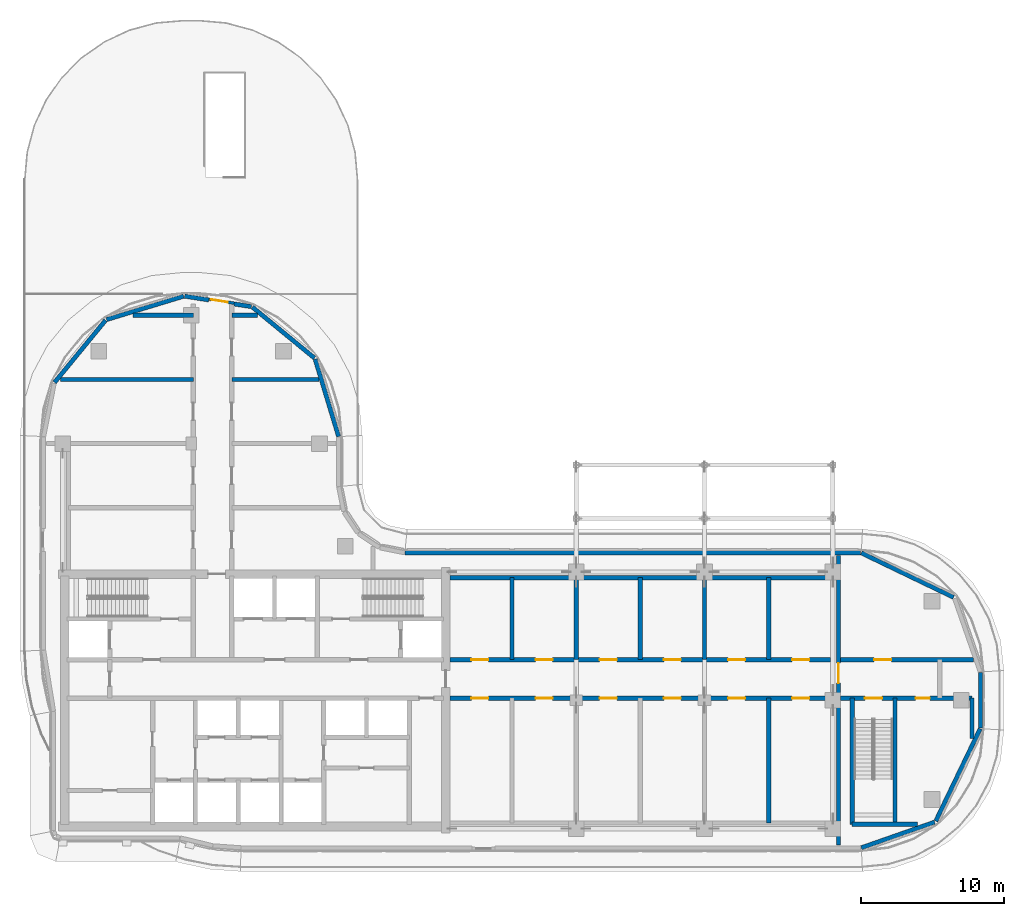
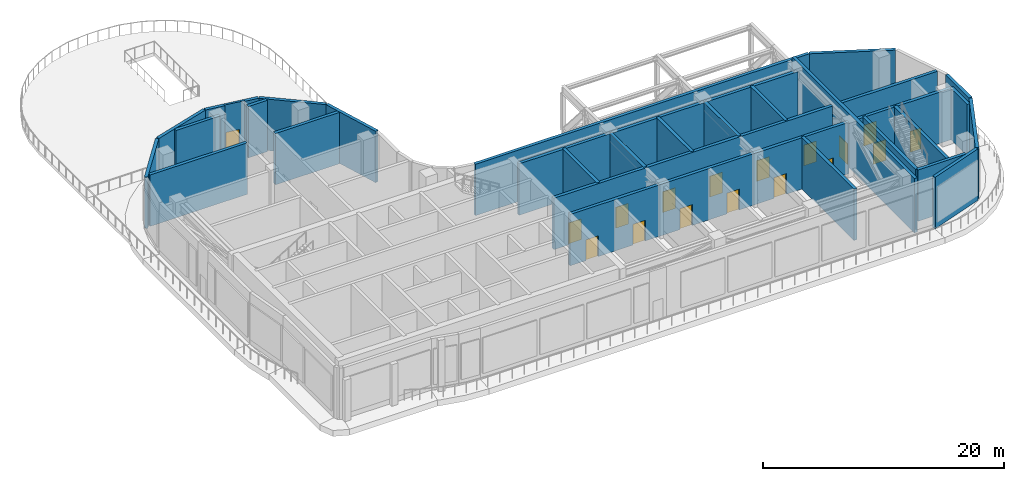
# One storey, part 6 of 18: 32 walls, 17 doors, 17 openings.
"""IFC4 building model written with IfcOpenShell, lengths in metres."""

import ifcopenshell
import ifcopenshell.guid

model = None  # the IFC model being written
_history = None  # IfcOwnerHistory: only IFC2X3 demands one
_inside = {}  # id of a spatial element -> (the spatial element, [elements in it])
_under = {}  # id of a project, library or spatial element -> (it, [spatial elements below it])
_declared = {}  # id of a project -> (the project, [libraries it declares])
_typed = {}  # id of a type object -> (the type object, [elements of that type])
_made_of = {}  # id of a material, layer set ... -> (it, [elements and type objects made of it])


def new_model(schema):
    """Start an empty IFC model of exactly this schema.

    Asked for "IFC4X3", IfcOpenShell would pick the latest addendum, in which some entities
    have other attributes; the version numbers below select the first issue.
    IFC2X3 requires an IfcOwnerHistory on every rooted entity: one is made here for all.
    """
    global model, _history
    if schema == "IFC4X3":
        model = ifcopenshell.file(schema_version=(4, 3, 0, 0))
    else:
        model = ifcopenshell.file(schema=schema)
    _inside.clear()
    _under.clear()
    _declared.clear()
    _typed.clear()
    _made_of.clear()
    _history = None
    if model.schema == "IFC2X3":
        org = make("IfcOrganization", Name="unknown")
        user = make(
            "IfcPersonAndOrganization",
            ThePerson=make("IfcPerson", FamilyName="unknown"),
            TheOrganization=org,
        )
        app = make(
            "IfcApplication",
            ApplicationDeveloper=org,
            Version="unknown",
            ApplicationFullName="unknown",
            ApplicationIdentifier="unknown",
        )
        _history = make(
            "IfcOwnerHistory",
            OwningUser=user,
            OwningApplication=app,
            ChangeAction="ADDED",
            CreationDate=0,
        )
    return model


def make(cls, **values):
    """One entity of the class cls with the attributes given. An attribute that is None is left unset."""
    return model.create_entity(
        cls, **{name: value for name, value in values.items() if value is not None}
    )


def rooted(cls, **values):
    """An entity with a GlobalId (a new one), such as an element, a storey or a relation."""
    return make(cls, GlobalId=ifcopenshell.guid.new(), OwnerHistory=_history, **values)


def si_unit(unit_type, name, prefix=None):
    """IfcSIUnit, for example si_unit("LENGTHUNIT", "METRE", prefix="MILLI")."""
    return make("IfcSIUnit", UnitType=unit_type, Prefix=prefix, Name=name)


def assignment(units):
    """IfcUnitAssignment: the units of a project."""
    return None if units is None else make("IfcUnitAssignment", Units=units)


def point(xyz):
    """IfcCartesianPoint."""
    return None if xyz is None else make("IfcCartesianPoint", Coordinates=xyz)


def direction(xyz):
    """IfcDirection."""
    return None if xyz is None else make("IfcDirection", DirectionRatios=xyz)


def frame(location, z_axis=None, x_axis=None):
    """IfcAxis2Placement3D, a coordinate frame: its origin and axes. An axis left out is left unset."""
    return make(
        "IfcAxis2Placement3D",
        Location=point(location),
        Axis=direction(z_axis),
        RefDirection=direction(x_axis),
    )


def frame_2d(location, x_axis=None):
    """IfcAxis2Placement2D, a coordinate frame in the plane: its origin and x axis."""
    return make(
        "IfcAxis2Placement2D", Location=point(location), RefDirection=direction(x_axis)
    )


def origin():
    """The frame at (0, 0, 0) with its axes left unset."""
    return frame((0.0, 0.0, 0.0))


def place(relative_to, where):
    """IfcLocalPlacement: puts the frame where relative to a parent placement (None: the world)."""
    return make(
        "IfcLocalPlacement", PlacementRelTo=relative_to, RelativePlacement=where
    )


def context(
    kind, dimensions, precision=None, world=None, true_north=None, identifier=None
):
    """IfcGeometricRepresentationContext, for example the 3D "Model" context."""
    return make(
        "IfcGeometricRepresentationContext",
        ContextIdentifier=identifier,
        ContextType=kind,
        CoordinateSpaceDimension=dimensions,
        Precision=precision,
        WorldCoordinateSystem=world,
        TrueNorth=true_north,
    )


def subcontext(parent, identifier, kind, view, scale=None):
    """IfcGeometricRepresentationSubContext, for example "Body" below "Model"."""
    return make(
        "IfcGeometricRepresentationSubContext",
        ContextIdentifier=identifier,
        ContextType=kind,
        ParentContext=parent,
        TargetScale=scale,
        TargetView=view,
    )


def project(units=None, contexts=None):
    """IfcProject with its units and contexts."""
    return rooted(
        "IfcProject",
        Name="project",
        RepresentationContexts=contexts,
        UnitsInContext=assignment(units),
    )


def spatial(cls, under=None, at=None, **own):
    """A site, building, storey or space (cls), placed at a placement, below another one or the project."""
    s = rooted(cls, ObjectPlacement=at, **own)
    if under is not None:
        _under.setdefault(under.id(), (under, []))[1].append(s)
    return s


def profile(cls, at=None, kind="AREA", **sizes):
    """A parametric profile (cls). Its sizes go by their IFC names, for example OverallWidth=200.0."""
    return make(cls, ProfileType=kind, Position=at, **sizes)


def rectangle(**sizes):
    """IfcRectangleProfileDef."""
    return profile("IfcRectangleProfileDef", **sizes)


def extrude(swept, where, along, depth):
    """IfcExtrudedAreaSolid: the profile swept, set in the frame where, extruded along a direction by depth."""
    return make(
        "IfcExtrudedAreaSolid",
        SweptArea=swept,
        Position=where,
        ExtrudedDirection=direction(along),
        Depth=depth,
    )


def shape(context_of_items, identifier, shape_type, items):
    """IfcShapeRepresentation: the items that make up one representation, for example the "Body"."""
    return make(
        "IfcShapeRepresentation",
        ContextOfItems=context_of_items,
        RepresentationIdentifier=identifier,
        RepresentationType=shape_type,
        Items=items,
    )


def material(Name=None, Category=None):
    """IfcMaterial."""
    return make("IfcMaterial", Name=Name, Category=Category)


def layer(
    of_material, thickness, ventilated=None, Name=None, Category=None, Priority=None
):
    """IfcMaterialLayer: one layer of a wall or slab, of a material (None: an air gap)."""
    return make(
        "IfcMaterialLayer",
        Material=of_material,
        LayerThickness=thickness,
        IsVentilated=ventilated,
        Name=Name,
        Category=Category,
        Priority=Priority,
    )


def layer_set(layers, Name=None):
    """IfcMaterialLayerSet."""
    return make("IfcMaterialLayerSet", MaterialLayers=layers, LayerSetName=Name)


def made_of(thing, what):
    """Note that an element or type object is made of a material, layer set ...; save() writes the relation."""
    if what is not None:
        _made_of.setdefault(what.id(), (what, []))[1].append(thing)
    return thing


def type_object(cls, material=None, **own):
    """A type object (cls), such as IfcWallType, which elements share."""
    return made_of(rooted(cls, **own), material)


def element(
    cls,
    number,
    at=None,
    inside=None,
    cuts=None,
    type_object=None,
    material=None,
    context=None,
    identifier="Body",
    shape_type=None,
    held_by="IfcProductDefinitionShape",
    body=None,
    shapes=None,
    **own,
):
    """One element of the class cls, such as IfcWall. Its Tag is "e" and its number.

    at: its placement. inside: the storey or other place that contains it. cuts: it is an
    opening in that element (IfcRelVoidsElement). A single representation is given by context,
    identifier, shape_type and body (its items); several are given by shapes. held_by: the class
    of the entity that holds the representations. save() writes the other relations.
    """
    e = rooted(cls, Tag="e%d" % number, ObjectPlacement=at, **own)
    if body is not None:
        shapes = [shape(context, identifier, shape_type, body)]
    if shapes is not None:
        e.Representation = make(held_by, Representations=shapes)
    if inside is not None:
        _inside.setdefault(inside.id(), (inside, []))[1].append(e)
    if cuts is not None:
        rooted(
            "IfcRelVoidsElement", RelatingBuildingElement=cuts, RelatedOpeningElement=e
        )
    if type_object is not None:
        _typed.setdefault(type_object.id(), (type_object, []))[1].append(e)
    return made_of(e, material)


def fill(opening, filler):
    """IfcRelFillsElement: the door or window that sits in an opening."""
    return rooted(
        "IfcRelFillsElement",
        RelatingOpeningElement=opening,
        RelatedBuildingElement=filler,
    )


def aggregate(whole, parts):
    """IfcRelAggregates: a whole, such as a stair, and the parts it consists of."""
    return rooted("IfcRelAggregates", RelatingObject=whole, RelatedObjects=parts)


def save(model, path):
    """Write the relations noted so far, then the file.

    IfcRelAggregates (storeys below a building ...), IfcRelContainedInSpatialStructure (elements
    in a storey), IfcRelDefinesByType, IfcRelAssociatesMaterial and IfcRelDeclares: one each for
    every whole, place, type object, material and project.
    """
    for whole, parts in _under.values():
        aggregate(whole, parts)
    for where, things in _inside.values():
        rooted(
            "IfcRelContainedInSpatialStructure",
            RelatedElements=things,
            RelatingStructure=where,
        )
    for kind, things in _typed.values():
        rooted("IfcRelDefinesByType", RelatedObjects=things, RelatingType=kind)
    for what, things in _made_of.values():
        rooted("IfcRelAssociatesMaterial", RelatedObjects=things, RelatingMaterial=what)
    for by, libraries in _declared.values():
        rooted("IfcRelDeclares", RelatingContext=by, RelatedDefinitions=libraries)
    model.write(path)


model = new_model("IFC4")

# Units and contexts
model_context = context("Model", 3, precision=1e-05, world=origin(), true_north=direction((0.0, 1.0)))
body_context = subcontext(model_context, "Body", "Model", "MODEL_VIEW")
ifc_project = project(units=[si_unit("LENGTHUNIT", "METRE"), si_unit("AREAUNIT", "SQUARE_METRE"), si_unit("VOLUMEUNIT", "CUBIC_METRE"), si_unit("PLANEANGLEUNIT", "RADIAN"), si_unit("MASSUNIT", "GRAM", prefix="KILO")], contexts=[model_context])

# Site, building, storey
site_placement = place(None, origin())
site = spatial("IfcSite", under=ifc_project, at=site_placement, CompositionType="ELEMENT")
building_placement = place(site_placement, origin())
building = spatial("IfcBuilding", under=site, at=building_placement, Name="Ogive Portal Towers", CompositionType="ELEMENT")
storey_placement = place(building_placement, frame((0.0, 0.0, 190.300048828125)))
storey = spatial("IfcBuildingStorey", under=building, at=storey_placement, Name="L47", CompositionType="ELEMENT", Elevation=190.300048828125)

# Wall, opening, door
ifc_material_1 = material(Name="Limestone cladding on lightweight block wall", Category="masonry")
ifc_layer_1 = layer(ifc_material_1, 0.199951171875)
ifc_layer_set_1 = layer_set([ifc_layer_1], Name="BALCONY BAY WALL 200")
wall_type_1 = type_object("IfcWallType", Name="BALCONY BAY WALL 200", PredefinedType="SOLIDWALL", material=ifc_layer_set_1)
wall_1_placement = place(storey_placement, frame((41.745361328125, 58.62353515625, 0.0), z_axis=(0.0, 0.0, 1.0), x_axis=(0.987782751811, -0.155837207446, 0.0)))
wall_1 = element("IfcWall", 1, at=wall_1_placement, inside=storey, type_object=wall_type_1, Name="A:L47:f20:bay0", PredefinedType="SOLIDWALL", context=body_context, shape_type="SweptSolid", body=[
    extrude(rectangle(XDim=1.800048828125, YDim=0.199951171875, at=frame_2d((0.89990234375, 0.0))), origin(), (0.0, 0.0, 1.0), 5.199951171875),
])
opening_1_placement = place(wall_1_placement, frame((0.14990234375, 0.0, 0.0)))
opening_1 = element("IfcOpeningElement", 2, at=opening_1_placement, cuts=wall_1, Name="Opening DX047", PredefinedType="OPENING", context=body_context, shape_type="SweptSolid", body=[
    extrude(rectangle(XDim=1.199951171875, YDim=2.39990234375, at=frame_2d((0.60009765625, 1.199951171875))), frame((0.0, 0.10986328125, 0.0), z_axis=(0.0, -1.0, 0.0), x_axis=(1.0, 0.0, 0.0)), (0.0, 0.0, 1.0), 0.219970703125),
])
ifc_material_2 = material(Name="Steel S355", Category="steel")
door_type_1 = type_object("IfcDoorType", Name="EXIT DOOR 1200x2400", OperationType="SINGLE_SWING_LEFT", PredefinedType="DOOR", material=ifc_material_2)
door_1_placement = place(opening_1_placement, origin())
door_1 = element("IfcDoor", 3, at=door_1_placement, inside=storey, type_object=door_type_1, Name="A:L47:f20:bay0/o0", OperationType="SINGLE_SWING_LEFT", OverallHeight=2.39990234375, OverallWidth=1.199951171875, PredefinedType="DOOR", context=body_context, shape_type="SweptSolid", body=[
    extrude(rectangle(XDim=1.199951171875, YDim=2.39990234375, at=frame_2d((0.60009765625, 1.199951171875))), frame((0.0, 0.02490234375, 0.0), z_axis=(0.0, -1.0, 0.0), x_axis=(1.0, 0.0, 0.0)), (0.0, 0.0, 1.0), 0.050048828125),
])
fill(opening_1, door_1)

# Walls
ifc_layer_2 = layer(ifc_material_1, 0.300048828125)
ifc_layer_set_2 = layer_set([ifc_layer_2], Name="EXTERNAL WALL 300 STONE")
wall_type_2 = type_object("IfcWallType", Name="EXTERNAL WALL 300 STONE", PredefinedType="SOLIDWALL", material=ifc_layer_set_2)
wall_2_placement = place(storey_placement, frame((87.49853515625, 20.158447265625, 0.0), z_axis=(0.0, 0.0, 1.0), x_axis=(0.943879346284, 0.330290447423, 0.0)))
element("IfcWall", 4, at=wall_2_placement, inside=storey, type_object=wall_type_2, Name="A:L47:f07:r0:wall", PredefinedType="SOLIDWALL", context=body_context, shape_type="SweptSolid", body=[
    extrude(rectangle(XDim=5.439453125, YDim=0.300048828125, at=frame_2d((2.7197265625, 0.0))), origin(), (0.0, 0.0, 1.0), 5.199951171875),
])
wall_3_placement = place(storey_placement, frame((92.718505859375, 22.031494140625, 0.0), z_axis=(0.0, 0.0, 1.0), x_axis=(0.433882040461, 0.90096968593, 0.0)))
element("IfcWall", 5, at=wall_3_placement, inside=storey, type_object=wall_type_2, Name="A:L47:f08:r0:wall", PredefinedType="SOLIDWALL", context=body_context, shape_type="SweptSolid", body=[
    extrude(rectangle(XDim=7.183349609375, YDim=0.300048828125, at=frame_2d((3.591796875, 0.0))), origin(), (0.0, 0.0, 1.0), 5.199951171875),
])
wall_4_placement = place(storey_placement, frame((95.85009765625, 28.568359375, 0.0), z_axis=(0.0, 0.0, 1.0), x_axis=(0.0, 1.0, 0.0)))
element("IfcWall", 6, at=wall_4_placement, inside=storey, type_object=wall_type_2, Name="A:L47:f09:r0:wall", PredefinedType="SOLIDWALL", context=body_context, shape_type="SweptSolid", body=[
    extrude(rectangle(XDim=3.880615234375, YDim=0.300048828125, at=frame_2d((1.9404296875, 0.0))), origin(), (0.0, 0.0, 1.0), 5.199951171875),
])
wall_5_placement = place(storey_placement, frame((93.968505859375, 37.718505859375, 0.0), z_axis=(0.0, 0.0, 1.0), x_axis=(-0.90096968593, 0.433882040461, 0.0)))
element("IfcWall", 7, at=wall_5_placement, inside=storey, type_object=wall_type_2, Name="A:L47:f11:r0:wall", PredefinedType="SOLIDWALL", context=body_context, shape_type="SweptSolid", body=[
    extrude(rectangle(XDim=7.183349609375, YDim=0.300048828125, at=frame_2d((3.591796875, 0.0))), origin(), (0.0, 0.0, 1.0), 5.199951171875),
])
wall_6_placement = place(storey_placement, frame((87.431640625, 40.85009765625, 0.0), z_axis=(0.0, 0.0, 1.0), x_axis=(-1.0, 0.0, 0.0)))
element("IfcWall", 8, at=wall_6_placement, inside=storey, type_object=wall_type_2, Name="A:L47:f12:r0:wall", PredefinedType="SOLIDWALL", context=body_context, shape_type="SweptSolid", body=[
    extrude(rectangle(XDim=31.931640625, YDim=0.300048828125, at=frame_2d((15.9658203125, 0.0))), origin(), (0.0, 0.0, 1.0), 5.199951171875),
])
wall_7_placement = place(storey_placement, frame((50.843505859375, 48.9990234375, 0.0), z_axis=(0.0, 0.0, 1.0), x_axis=(-0.290289406989, 0.95693890097, 0.0)))
element("IfcWall", 9, at=wall_7_placement, inside=storey, type_object=wall_type_2, Name="A:L47:f18:r0:wall", PredefinedType="SOLIDWALL", context=body_context, shape_type="SweptSolid", body=[
    extrude(rectangle(XDim=5.670166015625, YDim=0.300048828125, at=frame_2d((2.8349609375, 0.0))), origin(), (0.0, 0.0, 1.0), 5.199951171875),
])
wall_8_placement = place(storey_placement, frame((49.149169921875, 54.49755859375, 0.0), z_axis=(0.0, 0.0, 1.0), x_axis=(-0.773023777565, 0.634377048229, 0.0)))
element("IfcWall", 10, at=wall_8_placement, inside=storey, type_object=wall_type_2, Name="A:L47:f19:r0:wall", PredefinedType="SOLIDWALL", context=body_context, shape_type="SweptSolid", body=[
    extrude(rectangle(XDim=5.633056640625, YDim=0.300048828125, at=frame_2d((2.81640625, 0.0))), origin(), (0.0, 0.0, 1.0), 5.199951171875),
])
wall_9_placement = place(storey_placement, frame((44.722900390625, 58.103271484375, 0.0), z_axis=(0.0, 0.0, 1.0), x_axis=(-0.987787247842, 0.155808706434, 0.0)))
element("IfcWall", 11, at=wall_9_placement, inside=storey, type_object=wall_type_2, Name="A:L47:f20:r0:wall", PredefinedType="SOLIDWALL", context=body_context, shape_type="SweptSolid", body=[
    extrude(rectangle(XDim=1.22216796875, YDim=0.300048828125, at=frame_2d((0.611083984375, 0.0))), origin(), (0.0, 0.0, 1.0), 5.199951171875),
])
wall_10_placement = place(storey_placement, frame((41.737548828125, 58.57421875, 0.0), z_axis=(0.0, 0.0, 1.0), x_axis=(-0.987803359398, 0.155706528962, 0.0)))
element("IfcWall", 12, at=wall_10_placement, inside=storey, type_object=wall_type_2, Name="A:L47:f20:r1:wall", PredefinedType="SOLIDWALL", context=body_context, shape_type="SweptSolid", body=[
    extrude(rectangle(XDim=1.7138671875, YDim=0.300048828125, at=frame_2d((0.85693359375, 0.0))), origin(), (0.0, 0.0, 1.0), 5.199951171875),
])
wall_11_placement = place(storey_placement, frame((39.977783203125, 58.83642578125, 0.0), z_axis=(0.0, 0.0, 1.0), x_axis=(-0.956941081769, -0.29028221789, 0.0)))
element("IfcWall", 13, at=wall_11_placement, inside=storey, type_object=wall_type_2, Name="A:L47:f21:r0:wall", PredefinedType="SOLIDWALL", context=body_context, shape_type="SweptSolid", body=[
    extrude(rectangle(XDim=5.64599609375, YDim=0.300048828125, at=frame_2d((2.822998046875, 0.0))), origin(), (0.0, 0.0, 1.0), 5.199951171875),
])
wall_12_placement = place(storey_placement, frame((34.50244140625, 57.149169921875, 0.0), z_axis=(0.0, 0.0, 1.0), x_axis=(-0.63439223677, -0.773011312936, 0.0)))
element("IfcWall", 14, at=wall_12_placement, inside=storey, type_object=wall_type_2, Name="A:L47:f22:r0:wall", PredefinedType="SOLIDWALL", context=body_context, shape_type="SweptSolid", body=[
    extrude(rectangle(XDim=5.639404296875, YDim=0.300048828125, at=frame_2d((2.81982421875, 0.0))), origin(), (0.0, 0.0, 1.0), 5.199951171875),
])

# Wall, opening, door
ifc_material_3 = material(Name="Concrete C60/75", Category="concrete")
ifc_layer_3 = layer(ifc_material_3, 0.300048828125)
ifc_layer_set_3 = layer_set([ifc_layer_3], Name="REVEAL WALL 300 C60")
wall_type_3 = type_object("IfcWallType", Name="REVEAL WALL 300 C60", PredefinedType="SHEAR", material=ifc_layer_set_3)
wall_13_placement = place(storey_placement, frame((85.89990234375, 20.35009765625, 0.0), z_axis=(0.0, 0.0, 1.0), x_axis=(0.0, 1.0, 0.0)))
wall_13 = element("IfcWall", 15, at=wall_13_placement, inside=storey, type_object=wall_type_3, Name="Portal reveal wall L47", PredefinedType="SHEAR", context=body_context, shape_type="SweptSolid", body=[
    extrude(rectangle(XDim=20.2998046875, YDim=0.300048828125, at=frame_2d((10.14990234375, 0.0))), origin(), (0.0, 0.0, 1.0), 5.5),
])
opening_2_placement = place(wall_13_placement, frame((11.35009765625, 0.0, 0.0)))
opening_2 = element("IfcOpeningElement", 16, at=opening_2_placement, cuts=wall_13, Name="Opening D21-048", PredefinedType="OPENING", context=body_context, shape_type="SweptSolid", body=[
    extrude(rectangle(XDim=1.39990234375, YDim=2.10009765625, at=frame_2d((0.699951171875, 1.050048828125))), frame((0.0, 0.16015625, 0.0), z_axis=(0.0, -1.0, 0.0), x_axis=(1.0, 0.0, 0.0)), (0.0, 0.0, 1.0), 0.320068359375),
])
ifc_material_4 = material(Name="Steel fire door", Category="steel")
door_type_2 = type_object("IfcDoorType", Name="DT-STAIR-1400x2100-FD90S", OperationType="SINGLE_SWING_LEFT", PredefinedType="DOOR", material=ifc_material_4)
door_2_placement = place(opening_2_placement, origin())
door_2 = element("IfcDoor", 17, at=door_2_placement, inside=storey, type_object=door_type_2, Name="Door D21-048", OperationType="SINGLE_SWING_RIGHT", OverallHeight=2.10009765625, OverallWidth=1.39990234375, PredefinedType="DOOR", context=body_context, shape_type="SweptSolid", body=[
    extrude(rectangle(XDim=1.39990234375, YDim=2.10009765625, at=frame_2d((0.699951171875, 1.050048828125))), frame((0.0, 0.02490234375, 0.0), z_axis=(0.0, -1.0, 0.0), x_axis=(1.0, 0.0, 0.0)), (0.0, 0.0, 1.0), 0.050048828125),
])
fill(opening_2, door_2)

# Wall
ifc_material_5 = material(Name="Concrete C50/60", Category="concrete")
ifc_layer_4 = layer(ifc_material_5, 0.300048828125)
ifc_layer_set_4 = layer_set([ifc_layer_4], Name="STAIR WALL 300 C50")
wall_type_4 = type_object("IfcWallType", Name="STAIR WALL 300 C50", PredefinedType="SHEAR", material=ifc_layer_set_4)
wall_14_placement = place(storey_placement, frame((86.85009765625, 21.800048828125, 0.0), z_axis=(0.0, 0.0, 1.0), x_axis=(1.0, 0.0, 0.0)))
element("IfcWall", 18, at=wall_14_placement, inside=storey, type_object=wall_type_4, Name="Stair wall ST-A4 L47", PredefinedType="SHEAR", context=body_context, shape_type="SweptSolid", body=[
    extrude(rectangle(XDim=4.595947265625, YDim=0.300048828125, at=frame_2d((2.2978515625, 0.0))), origin(), (0.0, 0.0, 1.0), 5.199951171875),
])

# Wall, openings, doors
wall_15_placement = place(storey_placement, frame((86.050048828125, 30.64990234375, 0.0), z_axis=(0.0, 0.0, 1.0), x_axis=(1.0, 0.0, 0.0)))
wall_15 = element("IfcWall", 19, at=wall_15_placement, inside=storey, type_object=wall_type_4, Name="Stair wall ST-A4 L47", PredefinedType="SHEAR", context=body_context, shape_type="SweptSolid", body=[
    extrude(rectangle(XDim=9.199951171875, YDim=0.300048828125, at=frame_2d((4.60009765625, 0.0))), origin(), (0.0, 0.0, 1.0), 5.199951171875),
])
opening_3_placement = place(wall_15_placement, frame((1.699951171875, 0.0, 0.0)))
opening_3 = element("IfcOpeningElement", 20, at=opening_3_placement, cuts=wall_15, Name="Opening D21-045", PredefinedType="OPENING", context=body_context, shape_type="SweptSolid", body=[
    extrude(rectangle(XDim=1.199951171875, YDim=2.10009765625, at=frame_2d((0.60009765625, 1.050048828125))), frame((0.0, 0.16015625, 0.0), z_axis=(0.0, -1.0, 0.0), x_axis=(1.0, 0.0, 0.0)), (0.0, 0.0, 1.0), 0.320068359375),
])
opening_4_placement = place(wall_15_placement, frame((5.25, 0.0, 0.0)))
opening_4 = element("IfcOpeningElement", 21, at=opening_4_placement, cuts=wall_15, Name="Opening D21-047", PredefinedType="OPENING", context=body_context, shape_type="SweptSolid", body=[
    extrude(rectangle(XDim=1.0, YDim=2.10009765625, at=frame_2d((0.5, 1.050048828125))), frame((0.0, 0.16015625, 0.0), z_axis=(0.0, -1.0, 0.0), x_axis=(1.0, 0.0, 0.0)), (0.0, 0.0, 1.0), 0.320068359375),
])
door_type_3 = type_object("IfcDoorType", Name="DT-SERVICE-1000x2100-FD90S", OperationType="SINGLE_SWING_LEFT", PredefinedType="DOOR", material=ifc_material_4)
door_3_placement = place(opening_4_placement, origin())
door_3 = element("IfcDoor", 22, at=door_3_placement, inside=storey, type_object=door_type_3, Name="Riser access door D21-047", OperationType="SINGLE_SWING_LEFT", OverallHeight=2.10009765625, OverallWidth=1.0, PredefinedType="DOOR", context=body_context, shape_type="SweptSolid", body=[
    extrude(rectangle(XDim=1.0, YDim=2.10009765625, at=frame_2d((0.5, 1.050048828125))), frame((0.0, 0.02490234375, 0.0), z_axis=(0.0, -1.0, 0.0), x_axis=(1.0, 0.0, 0.0)), (0.0, 0.0, 1.0), 0.050048828125),
])
fill(opening_4, door_3)
door_type_4 = type_object("IfcDoorType", Name="DT-STAIR-1200x2100-FD90S", OperationType="SINGLE_SWING_LEFT", PredefinedType="DOOR", material=ifc_material_4)
door_4_placement = place(opening_3_placement, origin())
door_4 = element("IfcDoor", 23, at=door_4_placement, inside=storey, type_object=door_type_4, Name="Door D21-045", OperationType="SINGLE_SWING_LEFT", OverallHeight=2.10009765625, OverallWidth=1.199951171875, PredefinedType="DOOR", context=body_context, shape_type="SweptSolid", body=[
    extrude(rectangle(XDim=1.199951171875, YDim=2.10009765625, at=frame_2d((0.60009765625, 1.050048828125))), frame((0.0, 0.02490234375, 0.0), z_axis=(0.0, -1.0, 0.0), x_axis=(1.0, 0.0, 0.0)), (0.0, 0.0, 1.0), 0.050048828125),
])
fill(opening_3, door_4)

# Walls
for number, where, z_axis, x_axis, name in (
    (24, (86.85009765625, 21.800048828125, 0.0), (0.0, 0.0, 1.0), (0.0, 1.0, 0.0), "Stair wall ST-A4 L47"),
    (25, (89.85009765625, 21.800048828125, 0.0), (0.0, 0.0, 1.0), (0.0, 1.0, 0.0), "Stair wall ST-A4 L47"),
):
    element("IfcWall", number, at=place(storey_placement, frame(where, z_axis=z_axis, x_axis=x_axis)), inside=storey, type_object=wall_type_4, Name=name, PredefinedType="SHEAR", context=body_context, shape_type="SweptSolid", body=[
        extrude(rectangle(XDim=8.849853515625, YDim=0.300048828125, at=frame_2d((4.4248046875, 0.0))), origin(), (0.0, 0.0, 1.0), 5.199951171875),
    ])

# Wall, openings, doors
ifc_material_6 = material(Name="Gypsum board partition on steel studs", Category="steel")
ifc_layer_5 = layer(ifc_material_6, 0.300048828125)
ifc_layer_set_5 = layer_set([ifc_layer_5], Name="WT-PART-300-EI 120")
wall_type_5 = type_object("IfcWallType", Name="WT-PART-300-EI 120", PredefinedType="PARTITIONING", material=ifc_layer_set_5)
wall_16_placement = place(storey_placement, frame((58.64990234375, 30.64990234375, 0.0), z_axis=(0.0, 0.0, 1.0), x_axis=(1.0, 0.0, 0.0)))
wall_16 = element("IfcWall", 26, at=wall_16_placement, inside=storey, type_object=wall_type_5, Name="Wall L47:w003", PredefinedType="PARTITIONING", context=body_context, shape_type="SweptSolid", body=[
    extrude(rectangle(XDim=26.68017578125, YDim=0.300048828125, at=frame_2d((13.340087890625, 0.0))), origin(), (0.0, 0.0, 1.0), 5.199951171875),
])
opening_5_placement = place(wall_16_placement, frame((1.5, 0.0, 0.0)))
opening_5 = element("IfcOpeningElement", 27, at=opening_5_placement, cuts=wall_16, Name="Opening D21-027", PredefinedType="OPENING", context=body_context, shape_type="SweptSolid", body=[
    extrude(rectangle(XDim=1.199951171875, YDim=2.10009765625, at=frame_2d((0.60009765625, 1.050048828125))), frame((0.0, 0.16015625, 0.0), z_axis=(0.0, -1.0, 0.0), x_axis=(1.0, 0.0, 0.0)), (0.0, 0.0, 1.0), 0.320068359375),
])
opening_6_placement = place(wall_16_placement, frame((6.0, 0.0, 0.0)))
opening_6 = element("IfcOpeningElement", 28, at=opening_6_placement, cuts=wall_16, Name="Opening D21-028", PredefinedType="OPENING", context=body_context, shape_type="SweptSolid", body=[
    extrude(rectangle(XDim=1.199951171875, YDim=2.10009765625, at=frame_2d((0.60009765625, 1.050048828125))), frame((0.0, 0.16015625, 0.0), z_axis=(0.0, -1.0, 0.0), x_axis=(1.0, 0.0, 0.0)), (0.0, 0.0, 1.0), 0.320068359375),
])
opening_7_placement = place(wall_16_placement, frame((10.5, 0.0, 0.0)))
opening_7 = element("IfcOpeningElement", 29, at=opening_7_placement, cuts=wall_16, Name="Opening D21-031", PredefinedType="OPENING", context=body_context, shape_type="SweptSolid", body=[
    extrude(rectangle(XDim=1.199951171875, YDim=2.10009765625, at=frame_2d((0.60009765625, 1.050048828125))), frame((0.0, 0.16015625, 0.0), z_axis=(0.0, -1.0, 0.0), x_axis=(1.0, 0.0, 0.0)), (0.0, 0.0, 1.0), 0.320068359375),
])
opening_8_placement = place(wall_16_placement, frame((15.0, 0.0, 0.0)))
opening_8 = element("IfcOpeningElement", 30, at=opening_8_placement, cuts=wall_16, Name="Opening D21-032", PredefinedType="OPENING", context=body_context, shape_type="SweptSolid", body=[
    extrude(rectangle(XDim=1.199951171875, YDim=2.10009765625, at=frame_2d((0.60009765625, 1.050048828125))), frame((0.0, 0.16015625, 0.0), z_axis=(0.0, -1.0, 0.0), x_axis=(1.0, 0.0, 0.0)), (0.0, 0.0, 1.0), 0.320068359375),
])
opening_9_placement = place(wall_16_placement, frame((19.5, 0.0, 0.0)))
opening_9 = element("IfcOpeningElement", 31, at=opening_9_placement, cuts=wall_16, Name="Opening D21-035", PredefinedType="OPENING", context=body_context, shape_type="SweptSolid", body=[
    extrude(rectangle(XDim=1.199951171875, YDim=2.10009765625, at=frame_2d((0.60009765625, 1.050048828125))), frame((0.0, 0.16015625, 0.0), z_axis=(0.0, -1.0, 0.0), x_axis=(1.0, 0.0, 0.0)), (0.0, 0.0, 1.0), 0.320068359375),
])
opening_10_placement = place(wall_16_placement, frame((24.0, 0.0, 0.0)))
opening_10 = element("IfcOpeningElement", 32, at=opening_10_placement, cuts=wall_16, Name="Opening D21-036", PredefinedType="OPENING", context=body_context, shape_type="SweptSolid", body=[
    extrude(rectangle(XDim=1.199951171875, YDim=2.10009765625, at=frame_2d((0.60009765625, 1.050048828125))), frame((0.0, 0.16015625, 0.0), z_axis=(0.0, -1.0, 0.0), x_axis=(1.0, 0.0, 0.0)), (0.0, 0.0, 1.0), 0.320068359375),
])
door_type_5 = type_object("IfcDoorType", Name="DT-ENTRY-1200x2100-FD90S", OperationType="SINGLE_SWING_LEFT", PredefinedType="DOOR", material=ifc_material_4)
door_5_placement = place(opening_5_placement, origin())
door_5 = element("IfcDoor", 33, at=door_5_placement, inside=storey, type_object=door_type_5, Name="Door D21-027", OperationType="SINGLE_SWING_RIGHT", OverallHeight=2.10009765625, OverallWidth=1.199951171875, PredefinedType="DOOR", context=body_context, shape_type="SweptSolid", body=[
    extrude(rectangle(XDim=1.199951171875, YDim=2.10009765625, at=frame_2d((0.60009765625, 1.050048828125))), frame((0.0, 0.02490234375, 0.0), z_axis=(0.0, -1.0, 0.0), x_axis=(1.0, 0.0, 0.0)), (0.0, 0.0, 1.0), 0.050048828125),
])
fill(opening_5, door_5)
door_6_placement = place(opening_6_placement, origin())
door_6 = element("IfcDoor", 34, at=door_6_placement, inside=storey, type_object=door_type_5, Name="Door D21-028", OperationType="SINGLE_SWING_LEFT", OverallHeight=2.10009765625, OverallWidth=1.199951171875, PredefinedType="DOOR", context=body_context, shape_type="SweptSolid", body=[
    extrude(rectangle(XDim=1.199951171875, YDim=2.10009765625, at=frame_2d((0.60009765625, 1.050048828125))), frame((0.0, 0.02490234375, 0.0), z_axis=(0.0, -1.0, 0.0), x_axis=(1.0, 0.0, 0.0)), (0.0, 0.0, 1.0), 0.050048828125),
])
fill(opening_6, door_6)
door_7_placement = place(opening_7_placement, origin())
door_7 = element("IfcDoor", 35, at=door_7_placement, inside=storey, type_object=door_type_5, Name="Door D21-031", OperationType="SINGLE_SWING_LEFT", OverallHeight=2.10009765625, OverallWidth=1.199951171875, PredefinedType="DOOR", context=body_context, shape_type="SweptSolid", body=[
    extrude(rectangle(XDim=1.199951171875, YDim=2.10009765625, at=frame_2d((0.60009765625, 1.050048828125))), frame((0.0, 0.02490234375, 0.0), z_axis=(0.0, -1.0, 0.0), x_axis=(1.0, 0.0, 0.0)), (0.0, 0.0, 1.0), 0.050048828125),
])
fill(opening_7, door_7)
door_8_placement = place(opening_8_placement, origin())
door_8 = element("IfcDoor", 36, at=door_8_placement, inside=storey, type_object=door_type_5, Name="Door D21-032", OperationType="SINGLE_SWING_LEFT", OverallHeight=2.10009765625, OverallWidth=1.199951171875, PredefinedType="DOOR", context=body_context, shape_type="SweptSolid", body=[
    extrude(rectangle(XDim=1.199951171875, YDim=2.10009765625, at=frame_2d((0.60009765625, 1.050048828125))), frame((0.0, 0.02490234375, 0.0), z_axis=(0.0, -1.0, 0.0), x_axis=(1.0, 0.0, 0.0)), (0.0, 0.0, 1.0), 0.050048828125),
])
fill(opening_8, door_8)
door_9_placement = place(opening_9_placement, origin())
door_9 = element("IfcDoor", 37, at=door_9_placement, inside=storey, type_object=door_type_5, Name="Door D21-035", OperationType="SINGLE_SWING_LEFT", OverallHeight=2.10009765625, OverallWidth=1.199951171875, PredefinedType="DOOR", context=body_context, shape_type="SweptSolid", body=[
    extrude(rectangle(XDim=1.199951171875, YDim=2.10009765625, at=frame_2d((0.60009765625, 1.050048828125))), frame((0.0, 0.02490234375, 0.0), z_axis=(0.0, -1.0, 0.0), x_axis=(1.0, 0.0, 0.0)), (0.0, 0.0, 1.0), 0.050048828125),
])
fill(opening_9, door_9)
door_10_placement = place(opening_10_placement, origin())
door_10 = element("IfcDoor", 38, at=door_10_placement, inside=storey, type_object=door_type_5, Name="Door D21-036", OperationType="SINGLE_SWING_RIGHT", OverallHeight=2.10009765625, OverallWidth=1.199951171875, PredefinedType="DOOR", context=body_context, shape_type="SweptSolid", body=[
    extrude(rectangle(XDim=1.199951171875, YDim=2.10009765625, at=frame_2d((0.60009765625, 1.050048828125))), frame((0.0, 0.02490234375, 0.0), z_axis=(0.0, -1.0, 0.0), x_axis=(1.0, 0.0, 0.0)), (0.0, 0.0, 1.0), 0.050048828125),
])
fill(opening_10, door_10)

wall_17_placement = place(storey_placement, frame((58.64990234375, 33.35009765625, 0.0), z_axis=(0.0, 0.0, 1.0), x_axis=(1.0, 0.0, 0.0)))
wall_17 = element("IfcWall", 39, at=wall_17_placement, inside=storey, type_object=wall_type_5, Name="Wall L47:w005", PredefinedType="PARTITIONING", context=body_context, shape_type="SweptSolid", body=[
    extrude(rectangle(XDim=26.68017578125, YDim=0.300048828125, at=frame_2d((13.340087890625, 0.0))), origin(), (0.0, 0.0, 1.0), 5.199951171875),
])
opening_11_placement = place(wall_17_placement, frame((1.5, 0.0, 0.0)))
opening_11 = element("IfcOpeningElement", 40, at=opening_11_placement, cuts=wall_17, Name="Opening D21-025", PredefinedType="OPENING", context=body_context, shape_type="SweptSolid", body=[
    extrude(rectangle(XDim=1.199951171875, YDim=2.10009765625, at=frame_2d((0.60009765625, 1.050048828125))), frame((0.0, 0.16015625, 0.0), z_axis=(0.0, -1.0, 0.0), x_axis=(1.0, 0.0, 0.0)), (0.0, 0.0, 1.0), 0.320068359375),
])
opening_12_placement = place(wall_17_placement, frame((6.0, 0.0, 0.0)))
opening_12 = element("IfcOpeningElement", 41, at=opening_12_placement, cuts=wall_17, Name="Opening D21-026", PredefinedType="OPENING", context=body_context, shape_type="SweptSolid", body=[
    extrude(rectangle(XDim=1.199951171875, YDim=2.10009765625, at=frame_2d((0.60009765625, 1.050048828125))), frame((0.0, 0.16015625, 0.0), z_axis=(0.0, -1.0, 0.0), x_axis=(1.0, 0.0, 0.0)), (0.0, 0.0, 1.0), 0.320068359375),
])
opening_13_placement = place(wall_17_placement, frame((10.5, 0.0, 0.0)))
opening_13 = element("IfcOpeningElement", 42, at=opening_13_placement, cuts=wall_17, Name="Opening D21-029", PredefinedType="OPENING", context=body_context, shape_type="SweptSolid", body=[
    extrude(rectangle(XDim=1.199951171875, YDim=2.10009765625, at=frame_2d((0.60009765625, 1.050048828125))), frame((0.0, 0.16015625, 0.0), z_axis=(0.0, -1.0, 0.0), x_axis=(1.0, 0.0, 0.0)), (0.0, 0.0, 1.0), 0.320068359375),
])
opening_14_placement = place(wall_17_placement, frame((15.0, 0.0, 0.0)))
opening_14 = element("IfcOpeningElement", 43, at=opening_14_placement, cuts=wall_17, Name="Opening D21-030", PredefinedType="OPENING", context=body_context, shape_type="SweptSolid", body=[
    extrude(rectangle(XDim=1.199951171875, YDim=2.10009765625, at=frame_2d((0.60009765625, 1.050048828125))), frame((0.0, 0.16015625, 0.0), z_axis=(0.0, -1.0, 0.0), x_axis=(1.0, 0.0, 0.0)), (0.0, 0.0, 1.0), 0.320068359375),
])
opening_15_placement = place(wall_17_placement, frame((19.5, 0.0, 0.0)))
opening_15 = element("IfcOpeningElement", 44, at=opening_15_placement, cuts=wall_17, Name="Opening D21-033", PredefinedType="OPENING", context=body_context, shape_type="SweptSolid", body=[
    extrude(rectangle(XDim=1.199951171875, YDim=2.10009765625, at=frame_2d((0.60009765625, 1.050048828125))), frame((0.0, 0.16015625, 0.0), z_axis=(0.0, -1.0, 0.0), x_axis=(1.0, 0.0, 0.0)), (0.0, 0.0, 1.0), 0.320068359375),
])
opening_16_placement = place(wall_17_placement, frame((24.0, 0.0, 0.0)))
opening_16 = element("IfcOpeningElement", 45, at=opening_16_placement, cuts=wall_17, Name="Opening D21-034", PredefinedType="OPENING", context=body_context, shape_type="SweptSolid", body=[
    extrude(rectangle(XDim=1.199951171875, YDim=2.10009765625, at=frame_2d((0.60009765625, 1.050048828125))), frame((0.0, 0.16015625, 0.0), z_axis=(0.0, -1.0, 0.0), x_axis=(1.0, 0.0, 0.0)), (0.0, 0.0, 1.0), 0.320068359375),
])
door_11_placement = place(opening_11_placement, origin())
door_11 = element("IfcDoor", 46, at=door_11_placement, inside=storey, type_object=door_type_5, Name="Door D21-025", OperationType="SINGLE_SWING_LEFT", OverallHeight=2.10009765625, OverallWidth=1.199951171875, PredefinedType="DOOR", context=body_context, shape_type="SweptSolid", body=[
    extrude(rectangle(XDim=1.199951171875, YDim=2.10009765625, at=frame_2d((0.60009765625, 1.050048828125))), frame((0.0, 0.02490234375, 0.0), z_axis=(0.0, -1.0, 0.0), x_axis=(1.0, 0.0, 0.0)), (0.0, 0.0, 1.0), 0.050048828125),
])
fill(opening_11, door_11)
door_12_placement = place(opening_12_placement, origin())
door_12 = element("IfcDoor", 47, at=door_12_placement, inside=storey, type_object=door_type_5, Name="Door D21-026", OperationType="SINGLE_SWING_LEFT", OverallHeight=2.10009765625, OverallWidth=1.199951171875, PredefinedType="DOOR", context=body_context, shape_type="SweptSolid", body=[
    extrude(rectangle(XDim=1.199951171875, YDim=2.10009765625, at=frame_2d((0.60009765625, 1.050048828125))), frame((0.0, 0.02490234375, 0.0), z_axis=(0.0, -1.0, 0.0), x_axis=(1.0, 0.0, 0.0)), (0.0, 0.0, 1.0), 0.050048828125),
])
fill(opening_12, door_12)
door_13_placement = place(opening_13_placement, origin())
door_13 = element("IfcDoor", 48, at=door_13_placement, inside=storey, type_object=door_type_5, Name="Door D21-029", OperationType="SINGLE_SWING_LEFT", OverallHeight=2.10009765625, OverallWidth=1.199951171875, PredefinedType="DOOR", context=body_context, shape_type="SweptSolid", body=[
    extrude(rectangle(XDim=1.199951171875, YDim=2.10009765625, at=frame_2d((0.60009765625, 1.050048828125))), frame((0.0, 0.02490234375, 0.0), z_axis=(0.0, -1.0, 0.0), x_axis=(1.0, 0.0, 0.0)), (0.0, 0.0, 1.0), 0.050048828125),
])
fill(opening_13, door_13)
door_14_placement = place(opening_14_placement, origin())
door_14 = element("IfcDoor", 49, at=door_14_placement, inside=storey, type_object=door_type_5, Name="Door D21-030", OperationType="SINGLE_SWING_RIGHT", OverallHeight=2.10009765625, OverallWidth=1.199951171875, PredefinedType="DOOR", context=body_context, shape_type="SweptSolid", body=[
    extrude(rectangle(XDim=1.199951171875, YDim=2.10009765625, at=frame_2d((0.60009765625, 1.050048828125))), frame((0.0, 0.02490234375, 0.0), z_axis=(0.0, -1.0, 0.0), x_axis=(1.0, 0.0, 0.0)), (0.0, 0.0, 1.0), 0.050048828125),
])
fill(opening_14, door_14)
door_15_placement = place(opening_15_placement, origin())
door_15 = element("IfcDoor", 50, at=door_15_placement, inside=storey, type_object=door_type_5, Name="Door D21-033", OperationType="SINGLE_SWING_RIGHT", OverallHeight=2.10009765625, OverallWidth=1.199951171875, PredefinedType="DOOR", context=body_context, shape_type="SweptSolid", body=[
    extrude(rectangle(XDim=1.199951171875, YDim=2.10009765625, at=frame_2d((0.60009765625, 1.050048828125))), frame((0.0, 0.02490234375, 0.0), z_axis=(0.0, -1.0, 0.0), x_axis=(1.0, 0.0, 0.0)), (0.0, 0.0, 1.0), 0.050048828125),
])
fill(opening_15, door_15)
door_16_placement = place(opening_16_placement, origin())
door_16 = element("IfcDoor", 51, at=door_16_placement, inside=storey, type_object=door_type_5, Name="Door D21-034", OperationType="SINGLE_SWING_LEFT", OverallHeight=2.10009765625, OverallWidth=1.199951171875, PredefinedType="DOOR", context=body_context, shape_type="SweptSolid", body=[
    extrude(rectangle(XDim=1.199951171875, YDim=2.10009765625, at=frame_2d((0.60009765625, 1.050048828125))), frame((0.0, 0.02490234375, 0.0), z_axis=(0.0, -1.0, 0.0), x_axis=(1.0, 0.0, 0.0)), (0.0, 0.0, 1.0), 0.050048828125),
])
fill(opening_16, door_16)

# Wall, opening, door
wall_18_placement = place(storey_placement, frame((86.050048828125, 33.35009765625, 0.0), z_axis=(0.0, 0.0, 1.0), x_axis=(1.0, 0.0, 0.0)))
wall_18 = element("IfcWall", 52, at=wall_18_placement, inside=storey, type_object=wall_type_5, Name="Wall L47:w006", PredefinedType="PARTITIONING", context=body_context, shape_type="SweptSolid", body=[
    extrude(rectangle(XDim=9.324951171875, YDim=0.300048828125, at=frame_2d((4.66259765625, 0.0))), origin(), (0.0, 0.0, 1.0), 5.199951171875),
])
opening_17_placement = place(wall_18_placement, frame((2.35009765625, 0.0, 0.0)))
opening_17 = element("IfcOpeningElement", 53, at=opening_17_placement, cuts=wall_18, Name="Opening D21-046", PredefinedType="OPENING", context=body_context, shape_type="SweptSolid", body=[
    extrude(rectangle(XDim=1.199951171875, YDim=2.10009765625, at=frame_2d((0.60009765625, 1.050048828125))), frame((0.0, 0.16015625, 0.0), z_axis=(0.0, -1.0, 0.0), x_axis=(1.0, 0.0, 0.0)), (0.0, 0.0, 1.0), 0.320068359375),
])
door_17_placement = place(opening_17_placement, origin())
door_17 = element("IfcDoor", 54, at=door_17_placement, inside=storey, type_object=door_type_4, Name="Door D21-046", OperationType="SINGLE_SWING_LEFT", OverallHeight=2.10009765625, OverallWidth=1.199951171875, PredefinedType="DOOR", context=body_context, shape_type="SweptSolid", body=[
    extrude(rectangle(XDim=1.199951171875, YDim=2.10009765625, at=frame_2d((0.60009765625, 1.050048828125))), frame((0.0, 0.02490234375, 0.0), z_axis=(0.0, -1.0, 0.0), x_axis=(1.0, 0.0, 0.0)), (0.0, 0.0, 1.0), 0.050048828125),
])
fill(opening_17, door_17)

# Walls
ifc_layer_6 = layer(ifc_material_6, 0.300048828125)
ifc_layer_set_6 = layer_set([ifc_layer_6], Name="WT-PART-300-EI 60")
wall_type_6 = type_object("IfcWallType", Name="WT-PART-300-EI 60", PredefinedType="PARTITIONING", material=ifc_layer_set_6)
wall_19_placement = place(storey_placement, frame((58.64990234375, 39.10009765625, 0.0), z_axis=(0.0, 0.0, 1.0), x_axis=(1.0, 0.0, 0.0)))
element("IfcWall", 55, at=wall_19_placement, inside=storey, type_object=wall_type_6, Name="Wall L47:w007", PredefinedType="PARTITIONING", context=body_context, shape_type="SweptSolid", body=[
    extrude(rectangle(XDim=26.68017578125, YDim=0.300048828125, at=frame_2d((13.340087890625, 0.0))), origin(), (0.0, 0.0, 1.0), 5.199951171875),
])
wall_20_placement = place(storey_placement, frame((31.35107421875, 53.0, 0.0), z_axis=(0.0, 0.0, 1.0), x_axis=(1.0, 0.0, 0.0)))
element("IfcWall", 56, at=wall_20_placement, inside=storey, type_object=wall_type_6, Name="Wall L47:w012", PredefinedType="PARTITIONING", context=body_context, shape_type="SweptSolid", body=[
    extrude(rectangle(XDim=9.298828125, YDim=0.300048828125, at=frame_2d((4.6494140625, 0.0))), origin(), (0.0, 0.0, 1.0), 5.199951171875),
])
wall_21_placement = place(storey_placement, frame((43.35009765625, 53.0, 0.0), z_axis=(0.0, 0.0, 1.0), x_axis=(1.0, 0.0, 0.0)))
element("IfcWall", 57, at=wall_21_placement, inside=storey, type_object=wall_type_6, Name="Wall L47:w013", PredefinedType="PARTITIONING", context=body_context, shape_type="SweptSolid", body=[
    extrude(rectangle(XDim=6.118896484375, YDim=0.300048828125, at=frame_2d((3.0595703125, 0.0))), origin(), (0.0, 0.0, 1.0), 5.199951171875),
])
wall_22_placement = place(storey_placement, frame((36.43896484375, 57.5, 0.0), z_axis=(0.0, 0.0, 1.0), x_axis=(1.0, 0.0, 0.0)))
element("IfcWall", 58, at=wall_22_placement, inside=storey, type_object=wall_type_6, Name="Wall L47:w014", PredefinedType="PARTITIONING", context=body_context, shape_type="SweptSolid", body=[
    extrude(rectangle(XDim=4.2109375, YDim=0.300048828125, at=frame_2d((2.10546875, 0.0))), origin(), (0.0, 0.0, 1.0), 5.199951171875),
])
wall_23_placement = place(storey_placement, frame((43.35009765625, 57.5, 0.0), z_axis=(0.0, 0.0, 1.0), x_axis=(1.0, 0.0, 0.0)))
element("IfcWall", 59, at=wall_23_placement, inside=storey, type_object=wall_type_6, Name="Wall L47:w015", PredefinedType="PARTITIONING", context=body_context, shape_type="SweptSolid", body=[
    extrude(rectangle(XDim=1.81689453125, YDim=0.300048828125, at=frame_2d((0.908447265625, 0.0))), origin(), (0.0, 0.0, 1.0), 5.199951171875),
])
for number, where, z_axis, x_axis, name in (
    (60, (63.0, 33.35009765625, 0.0), (0.0, 0.0, 1.0), (0.0, 1.0, 0.0), "Wall L47:w021"),
    (61, (67.5, 33.35009765625, 0.0), (0.0, 0.0, 1.0), (0.0, 1.0, 0.0), "Wall L47:w023"),
    (62, (72.0, 33.35009765625, 0.0), (0.0, 0.0, 1.0), (0.0, 1.0, 0.0), "Wall L47:w025"),
    (63, (76.5, 33.35009765625, 0.0), (0.0, 0.0, 1.0), (0.0, 1.0, 0.0), "Wall L47:w027"),
):
    element("IfcWall", number, at=place(storey_placement, frame(where, z_axis=z_axis, x_axis=x_axis)), inside=storey, type_object=wall_type_6, Name=name, PredefinedType="PARTITIONING", context=body_context, shape_type="SweptSolid", body=[
        extrude(rectangle(XDim=5.75, YDim=0.300048828125, at=frame_2d((2.875, 0.0))), origin(), (0.0, 0.0, 1.0), 5.199951171875),
    ])
wall_24_placement = place(storey_placement, frame((81.0, 21.89990234375, 0.0), z_axis=(0.0, 0.0, 1.0), x_axis=(0.0, 1.0, 0.0)))
element("IfcWall", 64, at=wall_24_placement, inside=storey, type_object=wall_type_6, Name="Wall L47:w028", PredefinedType="PARTITIONING", context=body_context, shape_type="SweptSolid", body=[
    extrude(rectangle(XDim=8.75, YDim=0.300048828125, at=frame_2d((4.375, 0.0))), origin(), (0.0, 0.0, 1.0), 5.199951171875),
])
wall_25_placement = place(storey_placement, frame((81.0, 33.35009765625, 0.0), z_axis=(0.0, 0.0, 1.0), x_axis=(0.0, 1.0, 0.0)))
element("IfcWall", 65, at=wall_25_placement, inside=storey, type_object=wall_type_6, Name="Wall L47:w029", PredefinedType="PARTITIONING", context=body_context, shape_type="SweptSolid", body=[
    extrude(rectangle(XDim=5.75, YDim=0.300048828125, at=frame_2d((2.875, 0.0))), origin(), (0.0, 0.0, 1.0), 5.199951171875),
])
wall_26_placement = place(storey_placement, frame((95.25, 27.823974609375, 0.0), z_axis=(0.0, 0.0, 1.0), x_axis=(0.0, 1.0, 0.0)))
element("IfcWall", 66, at=wall_26_placement, inside=storey, type_object=wall_type_6, Name="Wall L47:w033", PredefinedType="PARTITIONING", context=body_context, shape_type="SweptSolid", body=[
    extrude(rectangle(XDim=2.825927734375, YDim=0.300048828125, at=frame_2d((1.4130859375, 0.0))), origin(), (0.0, 0.0, 1.0), 5.199951171875),
])

save(model, "model.ifc")
